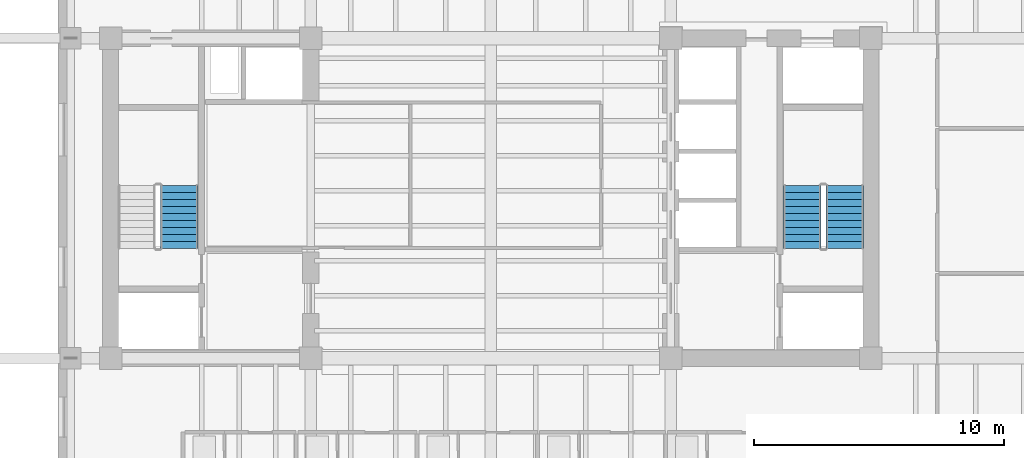
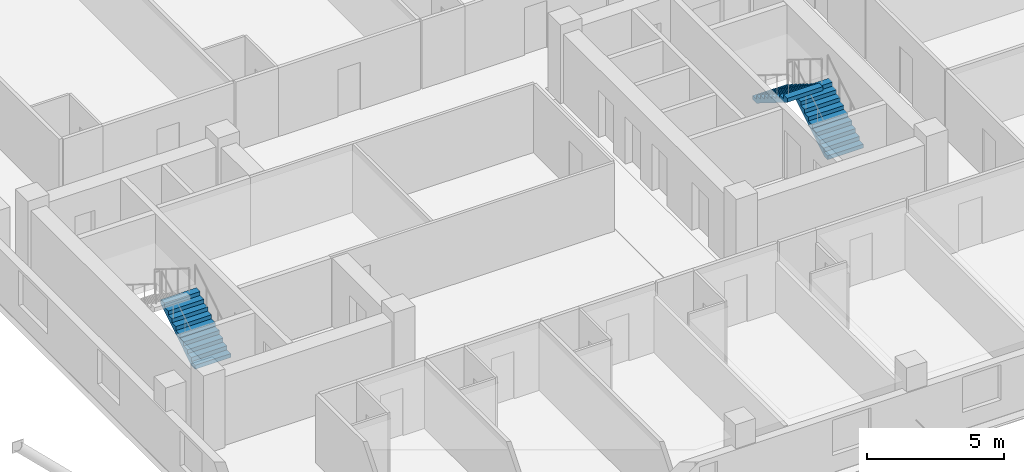
# One storey, part 9 of 13: 3 stair flights, 2 elements without a shape of their own.
"""IFC4 building model written with IfcOpenShell, lengths in metres."""

from ifc_helpers import new_model, si_unit, direction, frame, origin, place, context, subcontext, project, spatial, polyline, outline, extrude, material, type_object, element, aggregate, save


model = new_model("IFC4")

# Units and contexts
model_context = context("Model", 3, precision=1e-05, world=origin(), true_north=direction((0.0, 1.0)))
body_context = subcontext(model_context, "Body", "Model", "MODEL_VIEW")
ifc_project = project(units=[si_unit("LENGTHUNIT", "METRE"), si_unit("AREAUNIT", "SQUARE_METRE"), si_unit("VOLUMEUNIT", "CUBIC_METRE"), si_unit("PLANEANGLEUNIT", "RADIAN"), si_unit("MASSUNIT", "GRAM", prefix="KILO")], contexts=[model_context])

# Site, building, storey
site_placement = place(None, origin())
site = spatial("IfcSite", under=ifc_project, at=site_placement, CompositionType="ELEMENT")
building_placement = place(site_placement, origin())
building = spatial("IfcBuilding", under=site, at=building_placement, Name="Kranthara Brick Stack", CompositionType="ELEMENT")
storey_placement = place(building_placement, frame((0.0, 0.0, 179.800048828125)))
storey = spatial("IfcBuildingStorey", under=building, at=storey_placement, Name="L46", CompositionType="ELEMENT", Elevation=179.800048828125)

# Stair, stair flight
ifc_material_1 = material(Name="Concrete C45/55", Category="concrete")
stair_type = type_object("IfcStairType", Name="ST-CORE-20R", PredefinedType="HALF_TURN_STAIR", material=ifc_material_1)
stair_1_placement = place(storey_placement, origin())
stair_1 = element("IfcStair", 1, at=stair_1_placement, inside=storey, type_object=stair_type, Name="L46 West Core Protected Exit Stair ST01", PredefinedType="HALF_TURN_STAIR")
ifc_material_2 = material(Name="Concrete C45/55", Category="concrete")
stair_flight_type = type_object("IfcStairFlightType", Name="SFL-RC-20R", PredefinedType="STRAIGHT", material=ifc_material_2)
stair_flight_1_placement = place(storey_placement, frame((15.550048828125, 25.199951171875, 0.0), z_axis=(0.0, 0.0, 1.0), x_axis=(0.0, 1.0, 0.0)))
stair_flight_1 = element("IfcStairFlight", 2, at=stair_flight_1_placement, type_object=stair_flight_type, Name="ST01 flight 1", NumberOfRisers=10, NumberOfTreads=9, PredefinedType="STRAIGHT", RiserHeight=0.175, TreadLength=0.28, context=body_context, shape_type="SweptSolid", body=[
    extrude(outline(polyline([(0.0, 0.0), (0.0, 0.175048828125), (0.280029296875, 0.175048828125), (0.280029296875, 0.35009765625), (0.56005859375, 0.35009765625), (0.56005859375, 0.52490234375), (0.840087890625, 0.52490234375), (0.840087890625, 0.699951171875), (1.1201171875, 0.699951171875), (1.1201171875, 0.875), (1.39990234375, 0.875), (1.39990234375, 1.050048828125), (1.679931640625, 1.050048828125), (1.679931640625, 1.22509765625), (1.9599609375, 1.22509765625), (1.9599609375, 1.39990234375), (2.239990234375, 1.39990234375), (2.239990234375, 1.574951171875), (2.52001953125, 1.574951171875), (2.52001953125, 1.75), (2.52001953125, 1.398193359375), (0.28271484375, 0.0), (0.0, 0.0)])), frame((0.0, 0.75, 0.0), z_axis=(0.0, -1.0, 0.0), x_axis=(1.0, 0.0, 0.0)), (0.0, 0.0, 1.0), 1.5),
])
aggregate(stair_1, [stair_flight_1])

# Stair, stair flights
stair_2_placement = place(storey_placement, origin())
stair_2 = element("IfcStair", 3, at=stair_2_placement, inside=storey, type_object=stair_type, Name="L46 East Core Protected Exit Stair ST02", PredefinedType="HALF_TURN_STAIR")
stair_flight_2_placement = place(storey_placement, frame((42.14990234375, 25.199951171875, 0.0), z_axis=(0.0, 0.0, 1.0), x_axis=(0.0, 1.0, 0.0)))
stair_flight_2 = element("IfcStairFlight", 4, at=stair_flight_2_placement, type_object=stair_flight_type, Name="ST02 flight 1", NumberOfRisers=10, NumberOfTreads=9, PredefinedType="STRAIGHT", RiserHeight=0.175, TreadLength=0.28, context=body_context, shape_type="SweptSolid", body=[
    extrude(outline(polyline([(0.0, 0.0), (0.0, 0.175048828125), (0.280029296875, 0.175048828125), (0.280029296875, 0.35009765625), (0.56005859375, 0.35009765625), (0.56005859375, 0.52490234375), (0.840087890625, 0.52490234375), (0.840087890625, 0.699951171875), (1.1201171875, 0.699951171875), (1.1201171875, 0.875), (1.39990234375, 0.875), (1.39990234375, 1.050048828125), (1.679931640625, 1.050048828125), (1.679931640625, 1.22509765625), (1.9599609375, 1.22509765625), (1.9599609375, 1.39990234375), (2.239990234375, 1.39990234375), (2.239990234375, 1.574951171875), (2.52001953125, 1.574951171875), (2.52001953125, 1.75), (2.52001953125, 1.398193359375), (0.28271484375, 0.0), (0.0, 0.0)])), frame((0.0, 0.75, 0.0), z_axis=(0.0, -1.0, 0.0), x_axis=(1.0, 0.0, 0.0)), (0.0, 0.0, 1.0), 1.5),
])
stair_flight_3_placement = place(storey_placement, frame((40.449951171875, 27.719970703125, 1.75), z_axis=(0.0, 0.0, 1.0), x_axis=(0.0, -1.0, 0.0)))
stair_flight_3 = element("IfcStairFlight", 5, at=stair_flight_3_placement, type_object=stair_flight_type, Name="ST02 flight 2", NumberOfRisers=10, NumberOfTreads=9, PredefinedType="STRAIGHT", RiserHeight=0.175, TreadLength=0.28, context=body_context, shape_type="SweptSolid", body=[
    extrude(outline(polyline([(0.0, 0.0), (0.0, 0.175048828125), (0.280029296875, 0.175048828125), (0.280029296875, 0.35009765625), (0.56005859375, 0.35009765625), (0.56005859375, 0.52490234375), (0.840087890625, 0.52490234375), (0.840087890625, 0.699951171875), (1.1201171875, 0.699951171875), (1.1201171875, 0.875), (1.39990234375, 0.875), (1.39990234375, 1.050048828125), (1.679931640625, 1.050048828125), (1.679931640625, 1.22509765625), (1.9599609375, 1.22509765625), (1.9599609375, 1.39990234375), (2.239990234375, 1.39990234375), (2.239990234375, 1.574951171875), (2.52001953125, 1.574951171875), (2.52001953125, 1.75), (2.52001953125, 1.398193359375), (0.28271484375, 0.0), (0.0, 0.0)])), frame((0.0, 0.75, 0.0), z_axis=(0.0, -1.0, 0.0), x_axis=(1.0, 0.0, 0.0)), (0.0, 0.0, 1.0), 1.5),
])
aggregate(stair_2, [stair_flight_2, stair_flight_3])

save(model, "model.ifc")
